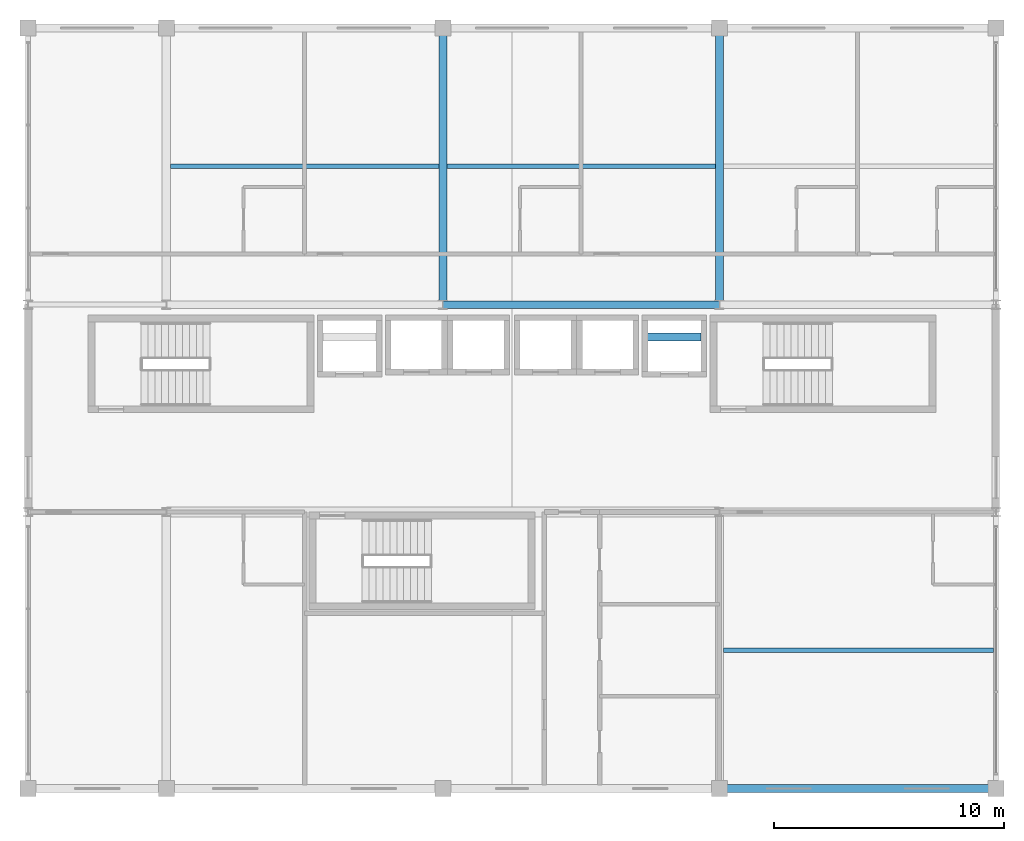
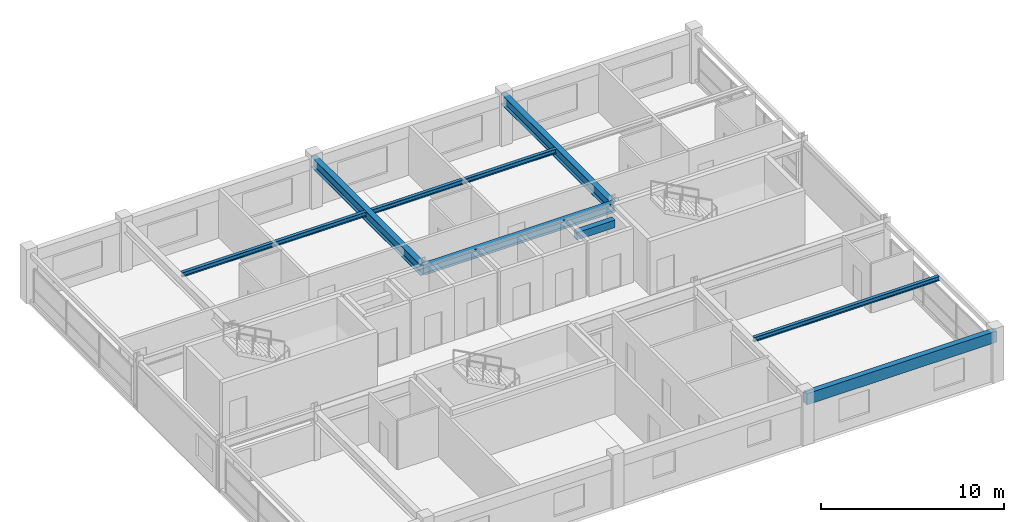
# One storey, part 9 of 22: 8 beams.
"""IFC4 building model written with IfcOpenShell, lengths in metres."""

from ifc_helpers import new_model, si_unit, direction, frame, origin, origin_2d, place, context, subcontext, project, spatial, rectangle, i_section, extrude, material, material_profile, profile_set, type_object, element, save


model = new_model("IFC4")

# Units and contexts
model_context = context("Model", 3, precision=1e-05, world=origin(), true_north=direction((0.0, 1.0)))
body_context = subcontext(model_context, "Body", "Model", "MODEL_VIEW")
ifc_project = project(units=[si_unit("LENGTHUNIT", "METRE"), si_unit("AREAUNIT", "SQUARE_METRE"), si_unit("VOLUMEUNIT", "CUBIC_METRE"), si_unit("PLANEANGLEUNIT", "RADIAN"), si_unit("MASSUNIT", "GRAM", prefix="KILO")], contexts=[model_context])

# Site, building, storey
site_placement = place(None, origin())
site = spatial("IfcSite", under=ifc_project, at=site_placement, CompositionType="ELEMENT")
building_placement = place(site_placement, origin())
building = spatial("IfcBuilding", under=site, at=building_placement, Name="Kaldorvane Square Convention Centre", CompositionType="ELEMENT")
storey_placement = place(building_placement, frame((0.0, 0.0, 63.600006103515625)))
storey = spatial("IfcBuildingStorey", under=building, at=storey_placement, Name="L15", CompositionType="ELEMENT", Elevation=63.600006103515625)

# Beams
ifc_material_1 = material(Name="Steel ASTM A992 Gr. 50", Category="steel")
ifc_material_profile_1 = material_profile(ifc_material_1, i_section(OverallWidth=0.326507568359375, OverallDepth=0.621795654296875, WebThickness=0.0153961181640625, FlangeThickness=0.0243988037109375, FilletRadius=0.0126953125, at=origin_2d()), Name="W24X131")
ifc_profile_set_1 = profile_set([ifc_material_profile_1], Name="Steel ASTM A992 Gr. 50")
beam_type_1 = type_object("IfcBeamType", Name="BM-GR-W24X131", PredefinedType="BEAM", material=ifc_profile_set_1)
beam_1_placement = place(storey_placement, frame((54.0, 105.0, 2.97509765625), z_axis=(1.0, 0.0, 0.0), x_axis=(0.0, 1.0, 0.0)))
element("IfcBeam", 1, at=beam_1_placement, inside=storey, type_object=beam_type_1, Name="Primary Girder (L15)", PredefinedType="BEAM", context=body_context, shape_type="SweptSolid", body=[
    extrude(i_section(OverallWidth=0.326507568359375, OverallDepth=0.621795654296875, WebThickness=0.0153961181640625, FlangeThickness=0.0243988037109375, FilletRadius=0.0126953125, at=origin_2d()), origin(), (0.0, 0.0, 1.0), 12.0),
])
ifc_material_profile_2 = material_profile(ifc_material_1, i_section(OverallWidth=0.354705810546875, OverallDepth=0.69549560546875, WebThickness=0.0153961181640625, FlangeThickness=0.0251007080078125, FilletRadius=0.01519775390625, at=origin_2d()), Name="W27X146")
ifc_profile_set_2 = profile_set([ifc_material_profile_2], Name="Steel ASTM A992 Gr. 50")
beam_type_2 = type_object("IfcBeamType", Name="BM-GR-W27X146", PredefinedType="BEAM", material=ifc_profile_set_2)
for number, where, z_axis, x_axis, name in (
    (2, (54.0, 105.0, 2.9381866455078125), (0.0, 1.0, 0.0), (-1.0, 0.0, 0.0), "Transverse Girder (L15)"),
    (3, (66.0, 105.0, 2.9381866455078125), (0.0, 1.0, 0.0), (-1.0, 0.0, 0.0), "Transverse Girder (L15)"),
):
    element("IfcBeam", number, at=place(storey_placement, frame(where, z_axis=z_axis, x_axis=x_axis)), inside=storey, type_object=beam_type_2, Name=name, PredefinedType="BEAM", context=body_context, shape_type="SweptSolid", body=[
        extrude(i_section(OverallWidth=0.354705810546875, OverallDepth=0.69549560546875, WebThickness=0.0153961181640625, FlangeThickness=0.0251007080078125, FilletRadius=0.01519775390625, at=origin_2d()), origin(), (0.0, 0.0, 1.0), 12.0),
    ])
ifc_material_profile_3 = material_profile(ifc_material_1, i_section(OverallWidth=0.2032928466796875, OverallDepth=0.3032989501953125, WebThickness=0.00750732421875, FlangeThickness=0.0131072998046875, FilletRadius=0.01019287109375, at=origin_2d()), Name="W12X40")
ifc_profile_set_3 = profile_set([ifc_material_profile_3], Name="Steel ASTM A992 Gr. 50")
beam_type_3 = type_object("IfcBeamType", Name="BM-JS-W12X40", PredefinedType="JOIST", material=ifc_profile_set_3)
beam_2_placement = place(storey_placement, frame((66.17739868164062, 90.0, 3.1342926025390625), z_axis=(1.0, 0.0, 0.0), x_axis=(0.0, 1.0, 0.0)))
element("IfcBeam", 4, at=beam_2_placement, inside=storey, type_object=beam_type_3, Name="Secondary Floor Joist (L15)", PredefinedType="JOIST", context=body_context, shape_type="SweptSolid", body=[
    extrude(i_section(OverallWidth=0.2032928466796875, OverallDepth=0.3032989501953125, WebThickness=0.00750732421875, FlangeThickness=0.0131072998046875, FilletRadius=0.01019287109375, at=origin_2d()), origin(), (0.0, 0.0, 1.0), 11.72100830078125),
])
beam_3_placement = place(storey_placement, frame((42.17730712890625, 111.0, 3.1342926025390625), z_axis=(1.0, 0.0, 0.0), x_axis=(0.0, 1.0, 0.0)))
element("IfcBeam", 5, at=beam_3_placement, inside=storey, type_object=beam_type_3, Name="Secondary Floor Joist (L15)", PredefinedType="JOIST", context=body_context, shape_type="SweptSolid", body=[
    extrude(i_section(OverallWidth=0.2032928466796875, OverallDepth=0.3032989501953125, WebThickness=0.00750732421875, FlangeThickness=0.0131072998046875, FilletRadius=0.01019287109375, at=origin_2d()), origin(), (0.0, 0.0, 1.0), 11.6453857421875),
])
beam_4_placement = place(storey_placement, frame((54.17730712890625, 111.0, 3.1342926025390625), z_axis=(1.0, 0.0, 0.0), x_axis=(0.0, 1.0, 0.0)))
element("IfcBeam", 6, at=beam_4_placement, inside=storey, type_object=beam_type_3, Name="Secondary Floor Joist (L15)", PredefinedType="JOIST", context=body_context, shape_type="SweptSolid", body=[
    extrude(i_section(OverallWidth=0.2032928466796875, OverallDepth=0.3032989501953125, WebThickness=0.00750732421875, FlangeThickness=0.0131072998046875, FilletRadius=0.01019287109375, at=origin_2d()), origin(), (0.0, 0.0, 1.0), 11.645294189453125),
])
ifc_material_2 = material(Name="Concrete f'c = 42 MPa (Normalweight)", Category="concrete")
ifc_material_profile_4 = material_profile(ifc_material_2, rectangle(XDim=0.350006103515625, YDim=0.5, at=origin_2d()), Name="RCLN500X350")
ifc_profile_set_4 = profile_set([ifc_material_profile_4], Name="Concrete f'c = 42 MPa (Normalweight)")
beam_type_4 = type_object("IfcBeamType", Name="BM-LN-RC500", PredefinedType="LINTEL", material=ifc_profile_set_4)
beam_5_placement = place(storey_placement, frame((62.80000305175781, 103.60000610351562, 3.037994384765625), z_axis=(1.0, 0.0, 0.0), x_axis=(0.0, 1.0, 0.0)))
element("IfcBeam", 7, at=beam_5_placement, inside=storey, type_object=beam_type_4, Name="Core Coupling Lintel E (L15)", PredefinedType="LINTEL", context=body_context, shape_type="SweptSolid", body=[
    extrude(rectangle(XDim=0.350006103515625, YDim=0.5, at=origin_2d()), origin(), (0.0, 0.0, 1.0), 2.399993896484375),
])
ifc_material_profile_5 = material_profile(ifc_material_2, rectangle(XDim=0.350006103515625, YDim=0.75, at=origin_2d()), Name="RCSP750X350")
ifc_profile_set_5 = profile_set([ifc_material_profile_5], Name="Concrete f'c = 42 MPa (Normalweight)")
beam_type_5 = type_object("IfcBeamType", Name="BM-SP-RC750", PredefinedType="SPANDREL", material=ifc_profile_set_5)
beam_6_placement = place(storey_placement, frame((66.0, 84.0, 2.9109954833984375), z_axis=(1.0, 0.0, 0.0), x_axis=(0.0, 1.0, 0.0)))
element("IfcBeam", 8, at=beam_6_placement, inside=storey, type_object=beam_type_5, Name="Perimeter Spandrel (L15)", PredefinedType="SPANDREL", context=body_context, shape_type="SweptSolid", body=[
    extrude(rectangle(XDim=0.350006103515625, YDim=0.75, at=origin_2d()), origin(), (0.0, 0.0, 1.0), 12.0),
])

save(model, "model.ifc")
